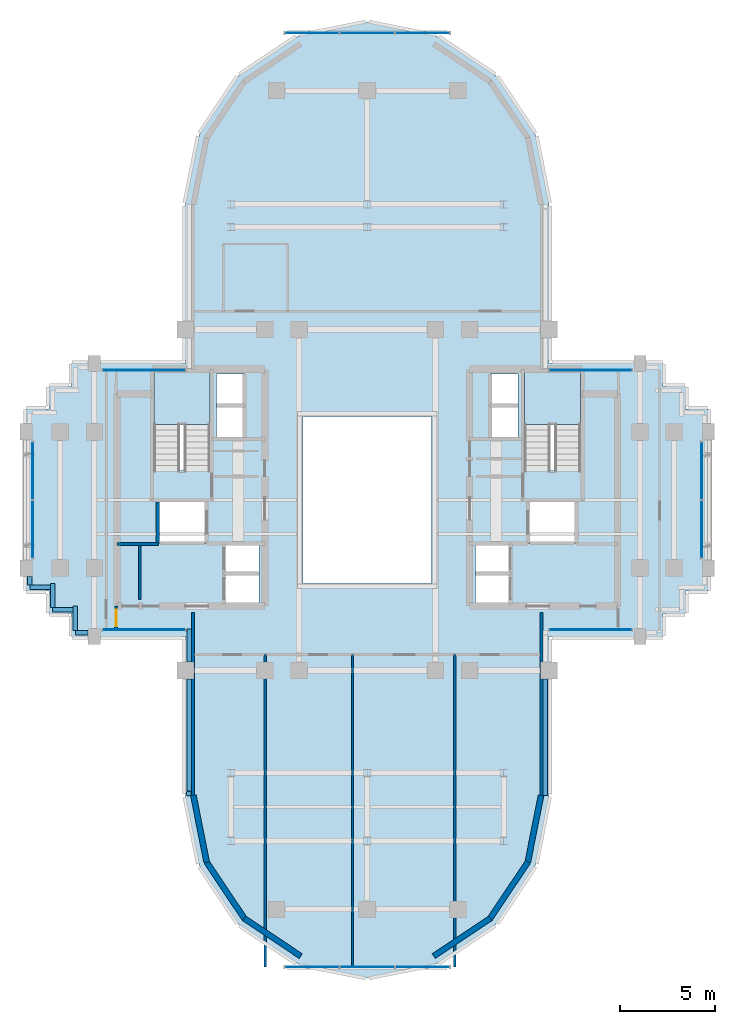
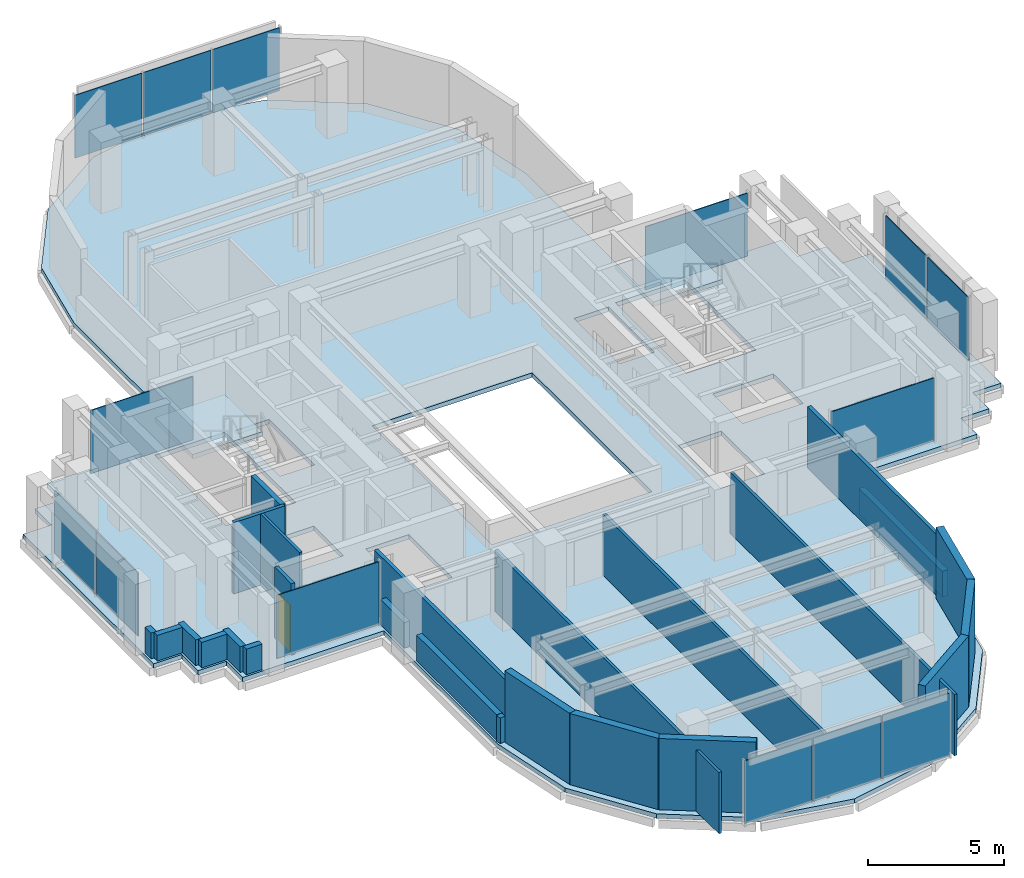
# One storey, part 5 of 11: 25 walls, 14 plates, 3 slabs, 1 door, 1 opening, 10 elements without a shape of their own.
"""IFC4 building model written with IfcOpenShell, lengths in metres."""

from ifc_helpers import new_model, si_unit, direction, frame, frame_2d, origin, origin_2d, place, context, subcontext, project, spatial, polyline, rectangle, outline, extrude, source, transform, mapped, material, layer, layer_set, type_object, element, fill, aggregate, save


model = new_model("IFC4")

# Units and contexts
model_context = context("Model", 3, precision=1e-05, world=origin(), true_north=direction((0.0, 1.0)))
body_context = subcontext(model_context, "Body", "Model", "MODEL_VIEW")
ifc_project = project(units=[si_unit("LENGTHUNIT", "METRE"), si_unit("AREAUNIT", "SQUARE_METRE"), si_unit("VOLUMEUNIT", "CUBIC_METRE"), si_unit("PLANEANGLEUNIT", "RADIAN"), si_unit("MASSUNIT", "GRAM", prefix="KILO")], contexts=[model_context])

# Site, building, storey
site_placement = place(None, origin())
site = spatial("IfcSite", under=ifc_project, at=site_placement, CompositionType="ELEMENT")
building_placement = place(site_placement, origin())
building = spatial("IfcBuilding", under=site, at=building_placement, Name="Keilestroom Media Tower", CompositionType="ELEMENT")
storey_placement = place(building_placement, frame((0.0, 0.0, 163.800048828125)))
storey = spatial("IfcBuildingStorey", under=building, at=storey_placement, Name="L44", CompositionType="ELEMENT", Elevation=163.800048828125)

# Slab
ifc_material_1 = material(Name="Concrete C50/60", Category="concrete")
ifc_layer_1 = layer(ifc_material_1, 0.199951171875)
ifc_layer_set_1 = layer_set([ifc_layer_1], Name="Concrete C50/60")
slab_type_1 = type_object("IfcSlabType", Name="Composite-Floor-Slab-200", PredefinedType="FLOOR", material=ifc_layer_set_1)
slab_1_placement = place(storey_placement, frame((0.0, 0.0, -0.199951171875)))
element("IfcSlab", 1, at=slab_1_placement, inside=storey, type_object=slab_type_1, Name="L44 Structural Composite Floor Slab", PredefinedType="FLOOR", context=body_context, shape_type="SweptSolid", body=[
    extrude(outline(polyline([(18.0, -4.800048828125), (18.0, 4.800048828125), (16.800048828125, 4.800048828125), (16.800048828125, 6.0), (15.60009765625, 6.0), (15.60009765625, 7.199951171875), (9.60009765625, 7.199951171875), (9.60009765625, 9.60009765625), (9.60009765625, 15.60009765625), (8.869140625, 19.273681640625), (6.7880859375, 22.38818359375), (3.673828125, 24.46923828125), (0.0, 25.199951171875), (-3.673828125, 24.46923828125), (-6.7880859375, 22.38818359375), (-8.869140625, 19.273681640625), (-9.60009765625, 15.60009765625), (-9.60009765625, 9.60009765625), (-9.60009765625, 7.199951171875), (-15.60009765625, 7.199951171875), (-15.60009765625, 6.0), (-16.800048828125, 6.0), (-16.800048828125, 4.800048828125), (-18.0, 4.800048828125), (-18.0, -4.800048828125), (-16.800048828125, -4.800048828125), (-16.800048828125, -6.0), (-15.60009765625, -6.0), (-15.60009765625, -7.199951171875), (-9.60009765625, -7.199951171875), (-9.60009765625, -9.60009765625), (-9.60009765625, -15.60009765625), (-8.869140625, -19.273681640625), (-6.7880859375, -22.38818359375), (-3.673828125, -24.46923828125), (0.0, -25.199951171875), (3.673828125, -24.46923828125), (6.7880859375, -22.38818359375), (8.869140625, -19.273681640625), (9.60009765625, -15.60009765625), (9.60009765625, -9.60009765625), (9.60009765625, -7.199951171875), (15.60009765625, -7.199951171875), (15.60009765625, -6.0), (16.800048828125, -6.0), (16.800048828125, -4.800048828125), (18.0, -4.800048828125)]), holes=[polyline([(-11.260009765625, 1.544921875), (-11.260009765625, 6.760009765625), (-8.300048828125, 6.760009765625), (-8.300048828125, 1.544921875), (-11.260009765625, 1.544921875)]), polyline([(-11.050048828125, -2.280029296875), (-11.050048828125, -0.10009765625), (-8.47998046875, -0.10009765625), (-8.47998046875, -2.280029296875), (-11.050048828125, -2.280029296875)]), polyline([(-7.949951171875, 3.300048828125), (-7.949951171875, 6.64990234375), (-6.47998046875, 6.64990234375), (-6.47998046875, 3.300048828125), (-7.949951171875, 3.300048828125)]), polyline([(-7.56005859375, -2.320068359375), (-5.719970703125, -2.320068359375), (-5.719970703125, -5.47998046875), (-7.56005859375, -5.47998046875), (-7.56005859375, -2.320068359375)]), polyline([(3.39990234375, -4.39990234375), (-3.39990234375, -4.39990234375), (-3.39990234375, 4.39990234375), (3.39990234375, 4.39990234375), (3.39990234375, -4.39990234375)]), polyline([(7.56005859375, -2.320068359375), (7.56005859375, -5.47998046875), (5.719970703125, -5.47998046875), (5.719970703125, -2.320068359375), (7.56005859375, -2.320068359375)]), polyline([(6.47998046875, 3.300048828125), (6.47998046875, 6.64990234375), (7.949951171875, 6.64990234375), (7.949951171875, 3.300048828125), (6.47998046875, 3.300048828125)]), polyline([(8.300048828125, 1.544921875), (8.300048828125, 6.760009765625), (11.260009765625, 6.760009765625), (11.260009765625, 1.544921875), (8.300048828125, 1.544921875)]), polyline([(8.47998046875, -2.280029296875), (8.47998046875, -0.10009765625), (11.050048828125, -0.10009765625), (11.050048828125, -2.280029296875), (8.47998046875, -2.280029296875)])]), origin(), (0.0, 0.0, 1.0), 0.199951171875),
])

# Stair, slab
ifc_material_2 = material(Name="Concrete C45/55", Category="concrete")
stair_type = type_object("IfcStairType", Name="Enclosed-Dog-Leg-Stair-ST-CORE", PredefinedType="HALF_TURN_STAIR", material=ifc_material_2)
stair_1_placement = place(storey_placement, origin())
stair_1 = element("IfcStair", 2, at=stair_1_placement, inside=storey, type_object=stair_type, Name="L44 West Core Escape Stair ST-1", PredefinedType="HALF_TURN_STAIR")
ifc_layer_2 = layer(ifc_material_2, 0.199951171875)
ifc_layer_set_2 = layer_set([ifc_layer_2], Name="Concrete C45/55")
slab_type_2 = type_object("IfcSlabType", Name="Stair-Intermediate-And-Top-Landing-Slab-200", PredefinedType="LANDING", material=ifc_layer_set_2)
slab_2_placement = place(storey_placement, frame((0.0, 0.0, 1.5)))
slab_2 = element("IfcSlab", 3, at=slab_2_placement, type_object=slab_type_2, Name="ST-1 landing 1", PredefinedType="LANDING", context=body_context, shape_type="SweptSolid", body=[
    extrude(outline(polyline([(-8.300048828125, 3.99609375), (-8.300048828125, 6.760009765625), (-11.260009765625, 6.760009765625), (-11.260009765625, 3.99609375), (-8.300048828125, 3.99609375)])), origin(), (0.0, 0.0, 1.0), 0.199951171875),
])
aggregate(stair_1, [slab_2])

stair_2_placement = place(storey_placement, origin())
stair_2 = element("IfcStair", 4, at=stair_2_placement, inside=storey, type_object=stair_type, Name="L44 East Core Escape Stair ST-2", PredefinedType="HALF_TURN_STAIR")
slab_3_placement = place(storey_placement, frame((0.0, 0.0, 1.5)))
slab_3 = element("IfcSlab", 5, at=slab_3_placement, type_object=slab_type_2, Name="ST-2 landing 1", PredefinedType="LANDING", context=body_context, shape_type="SweptSolid", body=[
    extrude(outline(polyline([(11.260009765625, 3.99609375), (11.260009765625, 6.760009765625), (8.300048828125, 6.760009765625), (8.300048828125, 3.99609375), (11.260009765625, 3.99609375)])), origin(), (0.0, 0.0, 1.0), 0.199951171875),
])
aggregate(stair_2, [slab_3])

# Curtain wall, plates
ifc_material_3 = material(Name="Anodised Aluminium Alloy", Category="aluminium")
curtain_wall_type_1 = type_object("IfcCurtainWallType", Name="Unitised-Curtain-Wall-CW-6", PredefinedType="NOTDEFINED", material=ifc_material_3)
curtain_wall_1_placement = place(storey_placement, origin())
curtain_wall_1 = element("IfcCurtainWall", 6, at=curtain_wall_1_placement, inside=storey, type_object=curtain_wall_type_1, Name="L44 Curtain Wall CW-6 CW-L44-LN-1", PredefinedType="NOTDEFINED")
ifc_material_4 = material(Name="Curved-Facet Triple Glazed Unit", Category="glass")
ifc_layer_3 = layer(ifc_material_4, 0.033935546875)
ifc_layer_set_3 = layer_set([ifc_layer_3], Name="Curved-Facet Triple Glazed Unit")
plate_type_1 = type_object("IfcPlateType", Name="Insulated-Curtain-Wall-Glazing-Panel-CW-6", PredefinedType="CURTAIN_PANEL", material=ifc_layer_set_3)
shared_shape_1 = source(origin(), body_context, "Body", "SweptSolid", [
    extrude(rectangle(XDim=2.84375, YDim=0.033935546875, at=origin_2d()), origin(), (0.0, 0.0, 1.0), 2.833984375),
])
plate_1_placement = place(storey_placement, frame((-2.9169921875, 24.64990234375, 0.072998046875), z_axis=(0.0, 0.0, 1.0), x_axis=(1.0, 0.0, 0.0)))
plate_1 = element("IfcPlate", 7, at=plate_1_placement, type_object=plate_type_1, Name="CW-6 Unitised Glazing 00", PredefinedType="CURTAIN_PANEL", context=body_context, shape_type="MappedRepresentation", body=[
    mapped(shared_shape_1, transform((0.0, 0.0, 0.0), x_axis=(1.0, 0.0, 0.0), y_axis=(0.0, 1.0, 0.0), z_axis=(0.0, 0.0, 1.0), scale=1.0)),
])
plate_2_placement = place(storey_placement, frame((2.9169921875, 24.64990234375, 0.072998046875), z_axis=(0.0, 0.0, 1.0), x_axis=(1.0, 0.0, 0.0)))
plate_2 = element("IfcPlate", 8, at=plate_2_placement, type_object=plate_type_1, Name="CW-6 Unitised Glazing 02", PredefinedType="CURTAIN_PANEL", context=body_context, shape_type="MappedRepresentation", body=[
    mapped(shared_shape_1, transform((0.0, 0.0, 0.0), x_axis=(1.0, 0.0, 0.0), y_axis=(0.0, 1.0, 0.0), z_axis=(0.0, 0.0, 1.0), scale=1.0)),
])

curtain_wall_2_placement = place(storey_placement, origin())
curtain_wall_2 = element("IfcCurtainWall", 9, at=curtain_wall_2_placement, inside=storey, type_object=curtain_wall_type_1, Name="L44 Curtain Wall CW-6 CW-L44-LS-1", PredefinedType="NOTDEFINED")
plate_3_placement = place(storey_placement, frame((-2.9169921875, -24.64990234375, 0.072998046875), z_axis=(0.0, 0.0, 1.0), x_axis=(1.0, 0.0, 0.0)))
plate_3 = element("IfcPlate", 10, at=plate_3_placement, type_object=plate_type_1, Name="CW-6 Unitised Glazing 00", PredefinedType="CURTAIN_PANEL", context=body_context, shape_type="MappedRepresentation", body=[
    mapped(shared_shape_1, transform((0.0, 0.0, 0.0), x_axis=(1.0, 0.0, 0.0), y_axis=(0.0, 1.0, 0.0), z_axis=(0.0, 0.0, 1.0), scale=1.0)),
])
plate_4_placement = place(storey_placement, frame((2.9169921875, -24.64990234375, 0.072998046875), z_axis=(0.0, 0.0, 1.0), x_axis=(1.0, 0.0, 0.0)))
plate_4 = element("IfcPlate", 11, at=plate_4_placement, type_object=plate_type_1, Name="CW-6 Unitised Glazing 02", PredefinedType="CURTAIN_PANEL", context=body_context, shape_type="MappedRepresentation", body=[
    mapped(shared_shape_1, transform((0.0, 0.0, 0.0), x_axis=(1.0, 0.0, 0.0), y_axis=(0.0, 1.0, 0.0), z_axis=(0.0, 0.0, 1.0), scale=1.0)),
])

# Plate
shared_shape_2 = source(origin(), body_context, "Body", "SweptSolid", [
    extrude(rectangle(XDim=2.876220703125, YDim=0.033935546875, at=origin_2d()), origin(), (0.0, 0.0, 1.0), 2.833984375),
])
plate_5_placement = place(storey_placement, frame((0.0, 24.64990234375, 0.072998046875), z_axis=(0.0, 0.0, 1.0), x_axis=(1.0, 0.0, 0.0)))
plate_5 = element("IfcPlate", 12, at=plate_5_placement, type_object=plate_type_1, Name="CW-6 Unitised Glazing 01", PredefinedType="CURTAIN_PANEL", context=body_context, shape_type="MappedRepresentation", body=[
    mapped(shared_shape_2, transform((0.0, 0.0, 0.0), x_axis=(1.0, 0.0, 0.0), y_axis=(0.0, 1.0, 0.0), z_axis=(0.0, 0.0, 1.0), scale=1.0)),
])

aggregate(curtain_wall_1, [plate_1, plate_5, plate_2])

plate_6_placement = place(storey_placement, frame((0.0, -24.64990234375, 0.072998046875), z_axis=(0.0, 0.0, 1.0), x_axis=(1.0, 0.0, 0.0)))
plate_6 = element("IfcPlate", 13, at=plate_6_placement, type_object=plate_type_1, Name="CW-6 Unitised Glazing 01", PredefinedType="CURTAIN_PANEL", context=body_context, shape_type="MappedRepresentation", body=[
    mapped(shared_shape_2, transform((0.0, 0.0, 0.0), x_axis=(1.0, 0.0, 0.0), y_axis=(0.0, 1.0, 0.0), z_axis=(0.0, 0.0, 1.0), scale=1.0)),
])

aggregate(curtain_wall_2, [plate_3, plate_6, plate_4])

# Curtain wall, plate
curtain_wall_type_2 = type_object("IfcCurtainWallType", Name="Unitised-Curtain-Wall-CW-3", PredefinedType="NOTDEFINED", material=ifc_material_3)
curtain_wall_3_placement = place(storey_placement, origin())
curtain_wall_3 = element("IfcCurtainWall", 14, at=curtain_wall_3_placement, inside=storey, type_object=curtain_wall_type_2, Name="L44 Curtain Wall CW-3 CW-L44-NW-1", PredefinedType="NOTDEFINED")
ifc_material_5 = material(Name="Triple Glazed Acoustic Low-E Unit", Category="glass")
ifc_layer_4 = layer(ifc_material_5, 0.0380859375)
ifc_layer_set_4 = layer_set([ifc_layer_4], Name="Triple Glazed Acoustic Low-E Unit")
plate_type_2 = type_object("IfcPlateType", Name="Insulated-Curtain-Wall-Glazing-Panel-CW-3", PredefinedType="CURTAIN_PANEL", material=ifc_layer_set_4)
shared_shape_3 = source(origin(), body_context, "Body", "SweptSolid", [
    extrude(rectangle(XDim=4.343017578125, YDim=0.0380859375, at=origin_2d()), origin(), (0.0, 0.0, 1.0), 2.833984375),
])
plate_7_placement = place(storey_placement, frame((-11.782470703125, 6.85009765625, 0.072998046875), z_axis=(0.0, 0.0, 1.0), x_axis=(1.0, 0.0, 0.0)))
plate_7 = element("IfcPlate", 15, at=plate_7_placement, type_object=plate_type_2, Name="CW-3 Unitised Glazing 00", PredefinedType="CURTAIN_PANEL", context=body_context, shape_type="MappedRepresentation", body=[
    mapped(shared_shape_3, transform((0.0, 0.0, 0.0), x_axis=(1.0, 0.0, 0.0), y_axis=(0.0, 1.0, 0.0), z_axis=(0.0, 0.0, 1.0), scale=1.0)),
])
aggregate(curtain_wall_3, [plate_7])

curtain_wall_4_placement = place(storey_placement, origin())
curtain_wall_4 = element("IfcCurtainWall", 16, at=curtain_wall_4_placement, inside=storey, type_object=curtain_wall_type_2, Name="L44 Curtain Wall CW-3 CW-L44-NE-1", PredefinedType="NOTDEFINED")
plate_8_placement = place(storey_placement, frame((11.782470703125, 6.85009765625, 0.072998046875), z_axis=(0.0, 0.0, 1.0), x_axis=(1.0, 0.0, 0.0)))
plate_8 = element("IfcPlate", 17, at=plate_8_placement, type_object=plate_type_2, Name="CW-3 Unitised Glazing 00", PredefinedType="CURTAIN_PANEL", context=body_context, shape_type="MappedRepresentation", body=[
    mapped(shared_shape_3, transform((0.0, 0.0, 0.0), x_axis=(1.0, 0.0, 0.0), y_axis=(0.0, 1.0, 0.0), z_axis=(0.0, 0.0, 1.0), scale=1.0)),
])
aggregate(curtain_wall_4, [plate_8])

curtain_wall_5_placement = place(storey_placement, origin())
curtain_wall_5 = element("IfcCurtainWall", 18, at=curtain_wall_5_placement, inside=storey, type_object=curtain_wall_type_2, Name="L44 Curtain Wall CW-3 CW-L44-SW-1", PredefinedType="NOTDEFINED")
plate_9_placement = place(storey_placement, frame((-11.782470703125, -6.85009765625, 0.072998046875), z_axis=(0.0, 0.0, 1.0), x_axis=(1.0, 0.0, 0.0)))
plate_9 = element("IfcPlate", 19, at=plate_9_placement, type_object=plate_type_2, Name="CW-3 Unitised Glazing 00", PredefinedType="CURTAIN_PANEL", context=body_context, shape_type="MappedRepresentation", body=[
    mapped(shared_shape_3, transform((0.0, 0.0, 0.0), x_axis=(1.0, 0.0, 0.0), y_axis=(0.0, 1.0, 0.0), z_axis=(0.0, 0.0, 1.0), scale=1.0)),
])
aggregate(curtain_wall_5, [plate_9])

curtain_wall_6_placement = place(storey_placement, origin())
curtain_wall_6 = element("IfcCurtainWall", 20, at=curtain_wall_6_placement, inside=storey, type_object=curtain_wall_type_2, Name="L44 Curtain Wall CW-3 CW-L44-SE-1", PredefinedType="NOTDEFINED")
plate_10_placement = place(storey_placement, frame((11.782470703125, -6.85009765625, 0.072998046875), z_axis=(0.0, 0.0, 1.0), x_axis=(1.0, 0.0, 0.0)))
plate_10 = element("IfcPlate", 21, at=plate_10_placement, type_object=plate_type_2, Name="CW-3 Unitised Glazing 00", PredefinedType="CURTAIN_PANEL", context=body_context, shape_type="MappedRepresentation", body=[
    mapped(shared_shape_3, transform((0.0, 0.0, 0.0), x_axis=(1.0, 0.0, 0.0), y_axis=(0.0, 1.0, 0.0), z_axis=(0.0, 0.0, 1.0), scale=1.0)),
])
aggregate(curtain_wall_6, [plate_10])

# Curtain wall, plates
curtain_wall_7_placement = place(storey_placement, origin())
curtain_wall_7 = element("IfcCurtainWall", 22, at=curtain_wall_7_placement, inside=storey, type_object=curtain_wall_type_2, Name="L44 Curtain Wall CW-3 CW-L44-W-1", PredefinedType="NOTDEFINED")
shared_shape_4 = source(origin(), body_context, "Body", "SweptSolid", [
    extrude(rectangle(XDim=3.025390625, YDim=0.0380859375, at=origin_2d()), origin(), (0.0, 0.0, 1.0), 2.833984375),
])
plate_11_placement = place(storey_placement, frame((-17.64990234375, -1.541259765625, 0.072998046875), z_axis=(0.0, 0.0, 1.0), x_axis=(0.0, 1.0, 0.0)))
plate_11 = element("IfcPlate", 23, at=plate_11_placement, type_object=plate_type_2, Name="CW-3 Unitised Glazing 00", PredefinedType="CURTAIN_PANEL", context=body_context, shape_type="MappedRepresentation", body=[
    mapped(shared_shape_4, transform((0.0, 0.0, 0.0), x_axis=(1.0, 0.0, 0.0), y_axis=(0.0, 1.0, 0.0), z_axis=(0.0, 0.0, 1.0), scale=1.0)),
])
plate_12_placement = place(storey_placement, frame((-17.64990234375, 1.541259765625, 0.072998046875), z_axis=(0.0, 0.0, 1.0), x_axis=(0.0, 1.0, 0.0)))
plate_12 = element("IfcPlate", 24, at=plate_12_placement, type_object=plate_type_2, Name="CW-3 Unitised Glazing 01", PredefinedType="CURTAIN_PANEL", context=body_context, shape_type="MappedRepresentation", body=[
    mapped(shared_shape_4, transform((0.0, 0.0, 0.0), x_axis=(1.0, 0.0, 0.0), y_axis=(0.0, 1.0, 0.0), z_axis=(0.0, 0.0, 1.0), scale=1.0)),
])
aggregate(curtain_wall_7, [plate_11, plate_12])

curtain_wall_8_placement = place(storey_placement, origin())
curtain_wall_8 = element("IfcCurtainWall", 25, at=curtain_wall_8_placement, inside=storey, type_object=curtain_wall_type_2, Name="L44 Curtain Wall CW-3 CW-L44-E-1", PredefinedType="NOTDEFINED")
plate_13_placement = place(storey_placement, frame((17.64990234375, -1.541259765625, 0.072998046875), z_axis=(0.0, 0.0, 1.0), x_axis=(0.0, 1.0, 0.0)))
plate_13 = element("IfcPlate", 26, at=plate_13_placement, type_object=plate_type_2, Name="CW-3 Unitised Glazing 00", PredefinedType="CURTAIN_PANEL", context=body_context, shape_type="MappedRepresentation", body=[
    mapped(shared_shape_4, transform((0.0, 0.0, 0.0), x_axis=(1.0, 0.0, 0.0), y_axis=(0.0, 1.0, 0.0), z_axis=(0.0, 0.0, 1.0), scale=1.0)),
])
plate_14_placement = place(storey_placement, frame((17.64990234375, 1.541259765625, 0.072998046875), z_axis=(0.0, 0.0, 1.0), x_axis=(0.0, 1.0, 0.0)))
plate_14 = element("IfcPlate", 27, at=plate_14_placement, type_object=plate_type_2, Name="CW-3 Unitised Glazing 01", PredefinedType="CURTAIN_PANEL", context=body_context, shape_type="MappedRepresentation", body=[
    mapped(shared_shape_4, transform((0.0, 0.0, 0.0), x_axis=(1.0, 0.0, 0.0), y_axis=(0.0, 1.0, 0.0), z_axis=(0.0, 0.0, 1.0), scale=1.0)),
])
aggregate(curtain_wall_8, [plate_13, plate_14])

# Walls
ifc_material_6 = material(Name="Precast concrete C40/50", Category="concrete")
ifc_layer_5 = layer(ifc_material_6, 0.300048828125)
ifc_layer_set_5 = layer_set([ifc_layer_5], Name="Precast concrete C40/50")
wall_type_1 = type_object("IfcWallType", Name="Exterior-Masonry-Spandrel-Wall-300", PredefinedType="SOLIDWALL", material=ifc_layer_set_5)
for number, where, z_axis, x_axis, name in (
    (28, (-9.1748046875, -15.585205078125, 0.0), (0.0, 0.0, 1.0), (0.195114232679, -0.980780523974, 0.0), "L44 Lobe Facet Precast Frame Wall 07"),
    (29, (-8.48193359375, -19.097412109375, 0.0), (0.0, 0.0, 1.0), (0.555574187116, -0.831466970246, 0.0), "L44 Lobe Facet Precast Frame Wall 08"),
):
    element("IfcWall", number, at=place(storey_placement, frame(where, z_axis=z_axis, x_axis=x_axis)), inside=storey, type_object=wall_type_1, Name=name, PredefinedType="SOLIDWALL", context=body_context, shape_type="SweptSolid", body=[
        extrude(rectangle(XDim=3.608642578125, YDim=0.300048828125, at=frame_2d((1.80419921875, 0.0))), origin(), (0.0, 0.0, 1.0), 3.199951171875),
    ])
for number, where, z_axis, x_axis, name in (
    (30, (-6.497802734375, -22.0771484375, 0.0), (0.0, 0.0, 1.0), (0.8314749531, -0.555562239868, 0.0), "L44 Lobe Facet Precast Frame Wall 09"),
    (31, (3.510009765625, -24.073486328125, 0.0), (0.0, 0.0, 1.0), (0.8314749531, 0.555562239868, 0.0), "L44 Lobe Facet Precast Frame Wall 10"),
):
    element("IfcWall", number, at=place(storey_placement, frame(where, z_axis=z_axis, x_axis=x_axis)), inside=storey, type_object=wall_type_1, Name=name, PredefinedType="SOLIDWALL", context=body_context, shape_type="SweptSolid", body=[
        extrude(rectangle(XDim=3.59326171875, YDim=0.300048828125, at=frame_2d((1.796630859375, 0.0))), origin(), (0.0, 0.0, 1.0), 3.199951171875),
    ])
for number, where, z_axis, x_axis, name in (
    (32, (6.47705078125, -22.097900390625, 0.0), (0.0, 0.0, 1.0), (0.555574187116, 0.831466970246, 0.0), "L44 Lobe Facet Precast Frame Wall 11"),
    (33, (8.470703125, -19.12451171875, 0.0), (0.0, 0.0, 1.0), (0.195114232679, 0.980780523974, 0.0), "L44 Lobe Facet Precast Frame Wall 12"),
):
    element("IfcWall", number, at=place(storey_placement, frame(where, z_axis=z_axis, x_axis=x_axis)), inside=storey, type_object=wall_type_1, Name=name, PredefinedType="SOLIDWALL", context=body_context, shape_type="SweptSolid", body=[
        extrude(rectangle(XDim=3.608642578125, YDim=0.300048828125, at=frame_2d((1.80419921875, 0.0))), origin(), (0.0, 0.0, 1.0), 3.199951171875),
    ])
ifc_material_7 = material(Name="Gypsum Plasterboard & Steel Stud", Category="steel")
ifc_layer_6 = layer(ifc_material_7, 0.1201171875)
ifc_layer_set_6 = layer_set([ifc_layer_6], Name="Gypsum Plasterboard & Steel Stud")
wall_type_2 = type_object("IfcWallType", Name="Interior-Partition-Wall-120", PredefinedType="PARTITIONING", material=ifc_layer_set_6)
wall_1_placement = place(storey_placement, frame((-12.010009765625, -5.260009765625, 0.0), z_axis=(0.0, 0.0, 1.0), x_axis=(0.0, 1.0, 0.0)))
element("IfcWall", 34, at=wall_1_placement, inside=storey, type_object=wall_type_2, Name="L44 Interior Wall WP-L44-RECLW-M", PredefinedType="PARTITIONING", context=body_context, shape_type="SweptSolid", body=[
    extrude(rectangle(XDim=2.93994140625, YDim=0.1201171875, at=frame_2d((1.469970703125, 0.0))), origin(), (0.0, 0.0, 1.0), 3.199951171875),
])
for number, where, z_axis, x_axis, name in (
    (35, (-5.3798828125, -24.64990234375, 0.0), (0.0, 0.0, 1.0), (0.0, 1.0, 0.0), "L44 Interior Wall WP-L44-SL-QV1"),
    (36, (-0.780029296875, -24.64990234375, 0.0), (0.0, 0.0, 1.0), (0.0, 1.0, 0.0), "L44 Interior Wall WP-L44-SL-QV2"),
    (37, (4.6201171875, -24.64990234375, 0.0), (0.0, 0.0, 1.0), (0.0, 1.0, 0.0), "L44 Interior Wall WP-L44-SL-QV3"),
):
    element("IfcWall", number, at=place(storey_placement, frame(where, z_axis=z_axis, x_axis=x_axis)), inside=storey, type_object=wall_type_2, Name=name, PredefinedType="PARTITIONING", context=body_context, shape_type="SweptSolid", body=[
        extrude(rectangle(XDim=16.489990234375, YDim=0.1201171875, at=frame_2d((8.2451171875, 0.0))), origin(), (0.0, 0.0, 1.0), 2.75),
    ])
ifc_layer_7 = layer(ifc_material_7, 0.14990234375)
ifc_layer_set_7 = layer_set([ifc_layer_7], Name="Gypsum Plasterboard & Steel Stud")
wall_type_3 = type_object("IfcWallType", Name="Interior-Partition-Wall-150", PredefinedType="PARTITIONING", material=ifc_layer_set_7)
wall_2_placement = place(storey_placement, frame((-13.199951171875, -2.320068359375, 0.0), z_axis=(0.0, 0.0, 1.0), x_axis=(1.0, 0.0, 0.0)))
element("IfcWall", 38, at=wall_2_placement, inside=storey, type_object=wall_type_3, Name="L44 Interior Wall WP-L44-RECLW-N", PredefinedType="PARTITIONING", context=body_context, shape_type="SweptSolid", body=[
    extrude(rectangle(XDim=2.179931640625, YDim=0.14990234375, at=frame_2d((1.08984375, 0.0))), origin(), (0.0, 0.0, 1.0), 3.199951171875),
])
for number, where, z_axis, x_axis, name in (
    (39, (-9.199951171875, -15.679931640625, 0.0), (0.0, 0.0, 1.0), (0.0, 1.0, 0.0), "L44 Interior Wall WP-L44-SL-CHKW"),
    (40, (9.199951171875, -15.679931640625, 0.0), (0.0, 0.0, 1.0), (0.0, 1.0, 0.0), "L44 Interior Wall WP-L44-SL-CHKE"),
):
    element("IfcWall", number, at=place(storey_placement, frame(where, z_axis=z_axis, x_axis=x_axis)), inside=storey, type_object=wall_type_3, Name=name, PredefinedType="PARTITIONING", context=body_context, shape_type="SweptSolid", body=[
        extrude(rectangle(XDim=9.739990234375, YDim=0.14990234375, at=frame_2d((4.8701171875, 0.0))), origin(), (0.0, 0.0, 1.0), 2.75),
    ])

# Wall, opening, door
wall_3_placement = place(storey_placement, frame((-13.260009765625, -6.85009765625, 0.0), z_axis=(0.0, 0.0, 1.0), x_axis=(0.016013571389, 0.999871774545, 0.0)))
wall_3 = element("IfcWall", 41, at=wall_3_placement, inside=storey, type_object=wall_type_3, Name="L44 Interior Wall WP-L44-WA-ENTS", PredefinedType="PARTITIONING", context=body_context, shape_type="SweptSolid", body=[
    extrude(rectangle(XDim=1.250244140625, YDim=0.14990234375, at=frame_2d((0.625, 0.0))), origin(), (0.0, 0.0, 1.0), 3.199951171875),
])
opening_placement = place(wall_3_placement, frame((0.199951171875, 0.0, 0.0)))
opening = element("IfcOpeningElement", 42, at=opening_placement, cuts=wall_3, Name="Opening DI-05", PredefinedType="OPENING", context=body_context, shape_type="SweptSolid", body=[
    extrude(rectangle(XDim=0.85009765625, YDim=2.10009765625, at=frame_2d((0.425048828125, 1.050048828125))), frame((0.0, 0.0849609375, 0.0), z_axis=(0.0, -1.0, 0.0), x_axis=(1.0, 0.0, 0.0)), (0.0, 0.0, 1.0), 0.169921875),
])
ifc_material_8 = material(Name="Moisture-Resistant Oak Leaf", Category="wood")
door_type = type_object("IfcDoorType", Name="Interior-En-Suite-And-Cupboard-Door-DI-05", OperationType="NOTDEFINED", PredefinedType="DOOR", material=ifc_material_8)
shared_shape_5 = source(origin(), body_context, "Body", "SweptSolid", [
    extrude(rectangle(XDim=0.85009765625, YDim=2.10009765625, at=frame_2d((0.425048828125, 1.050048828125))), frame((0.0, 0.02490234375, 0.0), z_axis=(0.0, -1.0, 0.0), x_axis=(1.0, 0.0, 0.0)), (0.0, 0.0, 1.0), 0.050048828125),
])
door_placement = place(opening_placement, origin())
door = element("IfcDoor", 43, at=door_placement, inside=storey, type_object=door_type, Name="L44 Interior Door DI-L44-DWA-ENTS", OperationType="SINGLE_SWING_LEFT", OverallHeight=2.10009765625, OverallWidth=0.85009765625, PredefinedType="DOOR", context=body_context, shape_type="MappedRepresentation", body=[
    mapped(shared_shape_5, transform((0.0, 0.0, 0.0), x_axis=(1.0, 0.0, 0.0), y_axis=(0.0, 1.0, 0.0), z_axis=(0.0, 0.0, 1.0), scale=1.0)),
])
fill(opening, door)

# Walls
ifc_layer_8 = layer(ifc_material_1, 0.199951171875)
ifc_layer_set_8 = layer_set([ifc_layer_8], Name="Concrete C50/60")
wall_type_4 = type_object("IfcWallType", Name="Reinforced-Concrete-Shaft-Wall-200", PredefinedType="SOLIDWALL", material=ifc_layer_set_8)
wall_4_placement = place(storey_placement, frame((-11.050048828125, -2.280029296875, 0.0), z_axis=(0.0, 0.0, 1.0), x_axis=(0.0, 1.0, 0.0)))
element("IfcWall", 44, at=wall_4_placement, inside=storey, type_object=wall_type_4, Name="L44 Core Shear Wall WL-L44-LSH-FFL-1-W", PredefinedType="SOLIDWALL", context=body_context, shape_type="SweptSolid", body=[
    extrude(rectangle(XDim=2.179931640625, YDim=0.199951171875, at=frame_2d((1.08984375, 0.0))), origin(), (0.0, 0.0, 1.0), 3.199951171875),
])
ifc_layer_9 = layer(ifc_material_6, 0.239990234375)
ifc_layer_set_9 = layer_set([ifc_layer_9], Name="Precast concrete C40/50")
wall_type_5 = type_object("IfcWallType", Name="Roof-And-Terrace-Parapet-Wall-240", PredefinedType="PARAPET", material=ifc_layer_set_9)
wall_5_placement = place(storey_placement, frame((9.39990234375, -9.452880859375, 0.0), z_axis=(0.0, 0.0, 1.0), x_axis=(0.0, -1.0, 0.0)))
element("IfcWall", 45, at=wall_5_placement, inside=storey, type_object=wall_type_5, Name="L44 Perimeter Edge Parapet Wall 09", PredefinedType="PARAPET", context=body_context, shape_type="SweptSolid", body=[
    extrude(rectangle(XDim=6.14990234375, YDim=0.239990234375, at=frame_2d((3.074951171875, 0.0))), origin(), (0.0, 0.0, 1.0), 1.14990234375),
])
wall_6_placement = place(storey_placement, frame((-9.395263671875, -15.604248046875, 0.0), z_axis=(0.0, 0.0, 1.0), x_axis=(-0.194652052864, 0.980872355771, 0.0)))
element("IfcWall", 46, at=wall_6_placement, inside=storey, type_object=wall_type_5, Name="L44 Perimeter Edge Parapet Wall 10", PredefinedType="PARAPET", context=body_context, shape_type="SweptSolid", body=[
    extrude(rectangle(XDim=0.224609375, YDim=0.239990234375, at=frame_2d((0.1123046875, 0.0))), origin(), (0.0, 0.0, 1.0), 1.14990234375),
])
wall_7_placement = place(storey_placement, frame((-9.39990234375, -15.357666015625, 0.0), z_axis=(0.0, 0.0, 1.0), x_axis=(0.0, 1.0, 0.0)))
element("IfcWall", 47, at=wall_7_placement, inside=storey, type_object=wall_type_5, Name="L44 Perimeter Edge Parapet Wall 11", PredefinedType="PARAPET", context=body_context, shape_type="SweptSolid", body=[
    extrude(rectangle(XDim=5.90478515625, YDim=0.239990234375, at=frame_2d((2.952392578125, 0.0))), origin(), (0.0, 0.0, 1.0), 1.14990234375),
])
wall_8_placement = place(storey_placement, frame((-9.39990234375, -8.547119140625, 0.0), z_axis=(0.0, 0.0, 1.0), x_axis=(0.0, 1.0, 0.0)))
element("IfcWall", 48, at=wall_8_placement, inside=storey, type_object=wall_type_5, Name="L44 Perimeter Edge Parapet Wall 12", PredefinedType="PARAPET", context=body_context, shape_type="SweptSolid", body=[
    extrude(rectangle(XDim=1.728271484375, YDim=0.239990234375, at=frame_2d((0.8642578125, 0.0))), origin(), (0.0, 0.0, 1.0), 1.14990234375),
])
wall_9_placement = place(storey_placement, frame((-14.72802734375, -7.0, 0.0), z_axis=(0.0, 0.0, 1.0), x_axis=(-1.0, 0.0, 0.0)))
element("IfcWall", 49, at=wall_9_placement, inside=storey, type_object=wall_type_5, Name="L44 Perimeter Edge Parapet Wall 13", PredefinedType="PARAPET", context=body_context, shape_type="SweptSolid", body=[
    extrude(rectangle(XDim=0.671875, YDim=0.239990234375, at=frame_2d((0.3359375, 0.0))), origin(), (0.0, 0.0, 1.0), 1.14990234375),
])
wall_10_placement = place(storey_placement, frame((-15.39990234375, -6.876953125, 0.0), z_axis=(0.0, 0.0, 1.0), x_axis=(0.0, 1.0, 0.0)))
element("IfcWall", 50, at=wall_10_placement, inside=storey, type_object=wall_type_5, Name="L44 Perimeter Edge Parapet Wall 14", PredefinedType="PARAPET", context=body_context, shape_type="SweptSolid", body=[
    extrude(rectangle(XDim=1.27685546875, YDim=0.239990234375, at=frame_2d((0.638427734375, 0.0))), origin(), (0.0, 0.0, 1.0), 1.14990234375),
])
wall_11_placement = place(storey_placement, frame((-15.52294921875, -5.800048828125, 0.0), z_axis=(0.0, 0.0, 1.0), x_axis=(-1.0, 0.0, 0.0)))
element("IfcWall", 51, at=wall_11_placement, inside=storey, type_object=wall_type_5, Name="L44 Perimeter Edge Parapet Wall 15", PredefinedType="PARAPET", context=body_context, shape_type="SweptSolid", body=[
    extrude(rectangle(XDim=1.0771484375, YDim=0.239990234375, at=frame_2d((0.53857421875, 0.0))), origin(), (0.0, 0.0, 1.0), 1.14990234375),
])
wall_12_placement = place(storey_placement, frame((-16.60009765625, -5.677001953125, 0.0), z_axis=(0.0, 0.0, 1.0), x_axis=(0.0, 1.0, 0.0)))
element("IfcWall", 52, at=wall_12_placement, inside=storey, type_object=wall_type_5, Name="L44 Perimeter Edge Parapet Wall 16", PredefinedType="PARAPET", context=body_context, shape_type="SweptSolid", body=[
    extrude(rectangle(XDim=1.277099609375, YDim=0.239990234375, at=frame_2d((0.638671875, 0.0))), origin(), (0.0, 0.0, 1.0), 1.14990234375),
])
wall_13_placement = place(storey_placement, frame((-16.722900390625, -4.60009765625, 0.0), z_axis=(0.0, 0.0, 1.0), x_axis=(-1.0, 0.0, 0.0)))
element("IfcWall", 53, at=wall_13_placement, inside=storey, type_object=wall_type_5, Name="L44 Perimeter Edge Parapet Wall 17", PredefinedType="PARAPET", context=body_context, shape_type="SweptSolid", body=[
    extrude(rectangle(XDim=1.0771484375, YDim=0.239990234375, at=frame_2d((0.53857421875, 0.0))), origin(), (0.0, 0.0, 1.0), 1.14990234375),
])
wall_14_placement = place(storey_placement, frame((-17.800048828125, -4.47705078125, 0.0), z_axis=(0.0, 0.0, 1.0), x_axis=(0.0, 1.0, 0.0)))
element("IfcWall", 54, at=wall_14_placement, inside=storey, type_object=wall_type_5, Name="L44 Perimeter Edge Parapet Wall 18", PredefinedType="PARAPET", context=body_context, shape_type="SweptSolid", body=[
    extrude(rectangle(XDim=0.448974609375, YDim=0.239990234375, at=frame_2d((0.224609375, 0.0))), origin(), (0.0, 0.0, 1.0), 1.14990234375),
])

save(model, "model.ifc")
